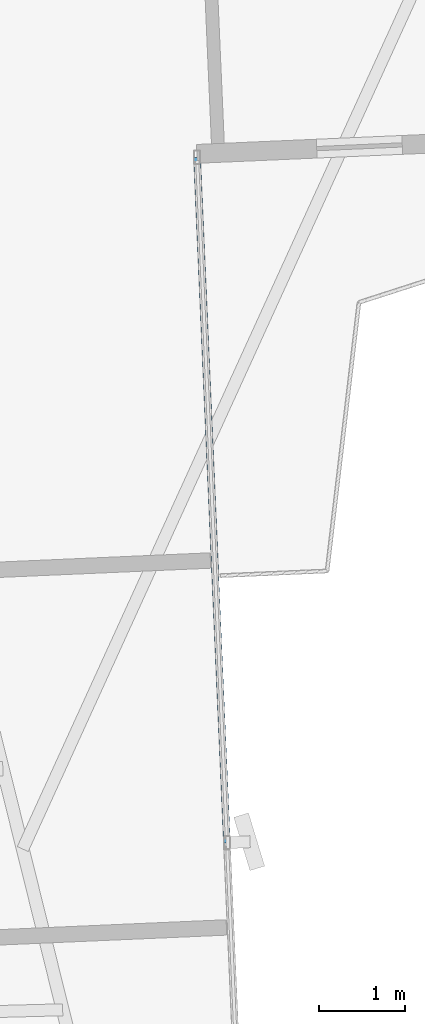
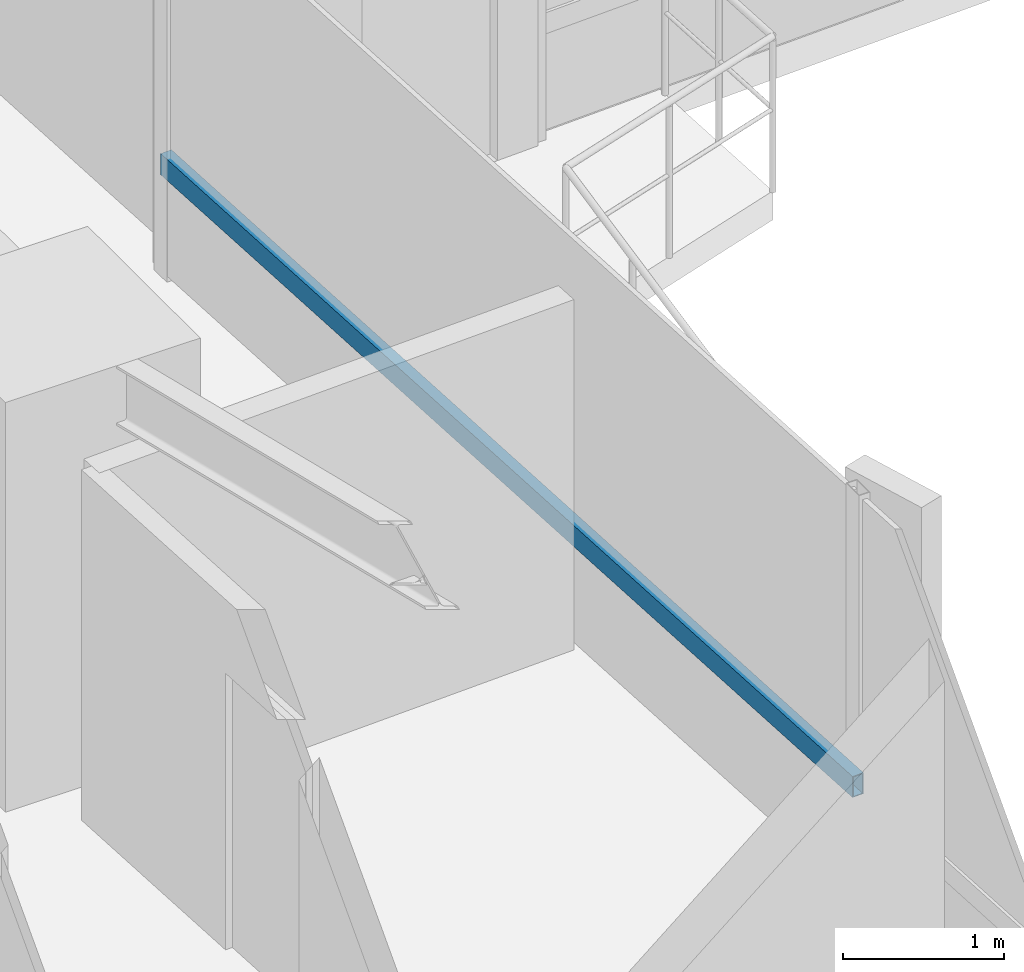
# One storey, part 7 of 26: 1 member, 1 element without a shape of its own.
"""IFC4 building model written with IfcOpenShell, lengths in metres."""

from ifc_helpers import new_model, si_unit, direction, frame, origin, origin_2d, place, context, subcontext, project, spatial, hollow_rectangle, extrude, source, transform, mapped, material, material_profile, profile_set, type_object, element, aggregate, save


model = new_model("IFC4")

# Units and contexts
model_context = context("Model", 3, precision=1e-05, world=origin(), true_north=direction((0.0, 1.0)))
body_context = subcontext(model_context, "Body", "Model", "MODEL_VIEW")
ifc_project = project(units=[si_unit("LENGTHUNIT", "METRE"), si_unit("AREAUNIT", "SQUARE_METRE"), si_unit("VOLUMEUNIT", "CUBIC_METRE"), si_unit("PLANEANGLEUNIT", "RADIAN"), si_unit("MASSUNIT", "GRAM", prefix="KILO")], contexts=[model_context])

# Site, building, storey
site_placement = place(None, origin())
site = spatial("IfcSite", under=ifc_project, at=site_placement, CompositionType="ELEMENT")
building_placement = place(site_placement, origin())
building = spatial("IfcBuilding", under=site, at=building_placement, Name="Sahyath Konkavel Grand Hotel", CompositionType="ELEMENT")
storey_placement = place(building_placement, frame((0.0, 0.0, 121.5)))
storey = spatial("IfcBuildingStorey", under=building, at=storey_placement, Name="L33", CompositionType="ELEMENT", Elevation=121.5)

# Curtain wall, member
ifc_material_1 = material(Name="Anodised Bronze Aluminium & Low-E Glazing", Category="aluminium")
curtain_wall_type = type_object("IfcCurtainWallType", Name="CW-ZONE2", PredefinedType="NOTDEFINED", material=ifc_material_1)
curtain_wall_placement = place(storey_placement, origin())
curtain_wall = element("IfcCurtainWall", 1, at=curtain_wall_placement, inside=storey, type_object=curtain_wall_type, Name="L33 Unitised Curtain Wall F31", PredefinedType="NOTDEFINED")
ifc_material_2 = material(Name="Anodised Bronze Aluminium", Category="aluminium")
ifc_material_profile = material_profile(ifc_material_2, hollow_rectangle(XDim=0.080078125, YDim=0.159912109375, WallThickness=0.006103515625, at=origin_2d()), Name="RHS 160x80x6")
ifc_profile_set = profile_set([ifc_material_profile], Name="Anodised Bronze Aluminium")
member_type = type_object("IfcMemberType", Name="CW-TRN-160", PredefinedType="USERDEFINED", material=ifc_profile_set)
shared_shape = source(origin(), body_context, "Body", "SweptSolid", [
    extrude(hollow_rectangle(XDim=0.080078125, YDim=0.159912109375, WallThickness=0.006103515625, at=origin_2d()), origin(), (0.0, 0.0, 1.0), 8.010009765625),
])
member_placement = place(storey_placement, frame((7.232666015625, -14.34814453125, 0.85009765625), z_axis=(-0.043615785896, 0.999048378819, 0.0), x_axis=(-0.999048378819, -0.043615785896, 0.0)))
member = element("IfcMember", 2, at=member_placement, type_object=member_type, Name="L33 Curtain Wall Transom F31-1-spandrel", ObjectType="TRANSOM", PredefinedType="USERDEFINED", context=body_context, shape_type="MappedRepresentation", body=[
    mapped(shared_shape, transform((0.0, 0.0, 0.0), scale=1.0)),
])
aggregate(curtain_wall, [member])

save(model, "model.ifc")
